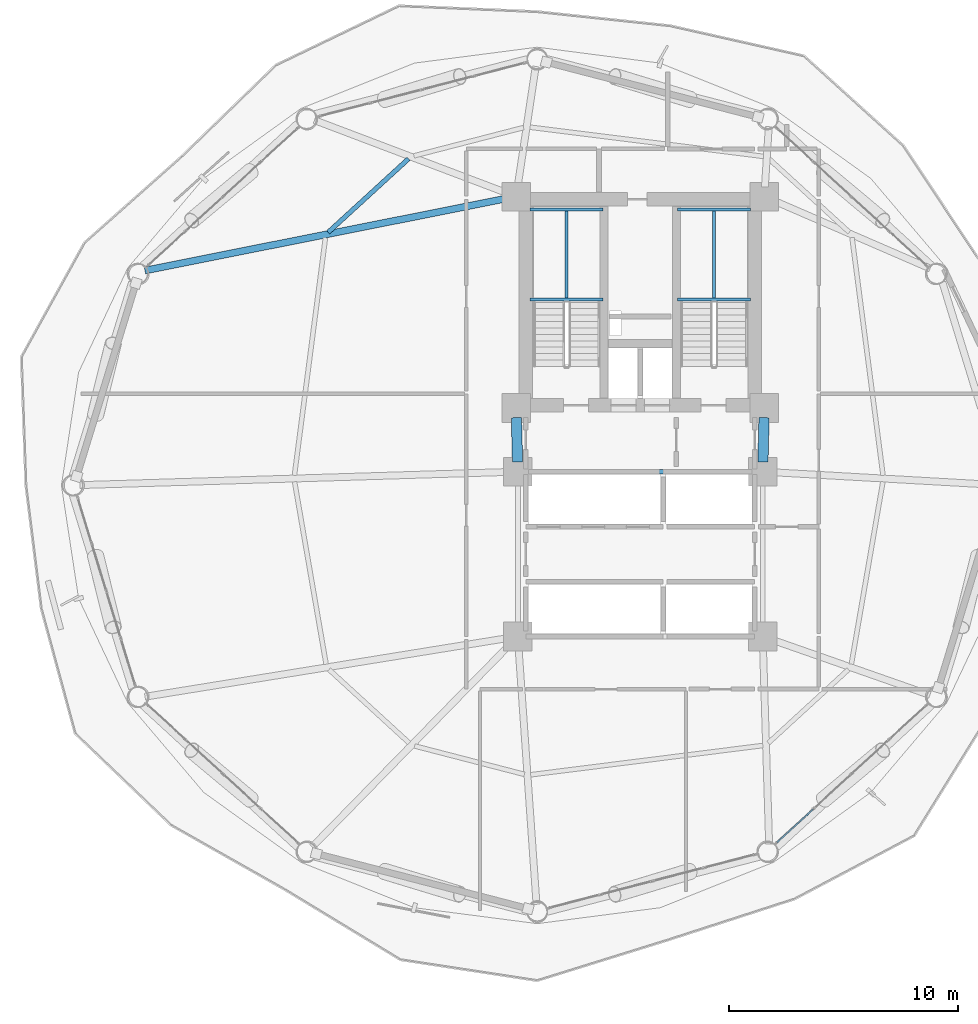
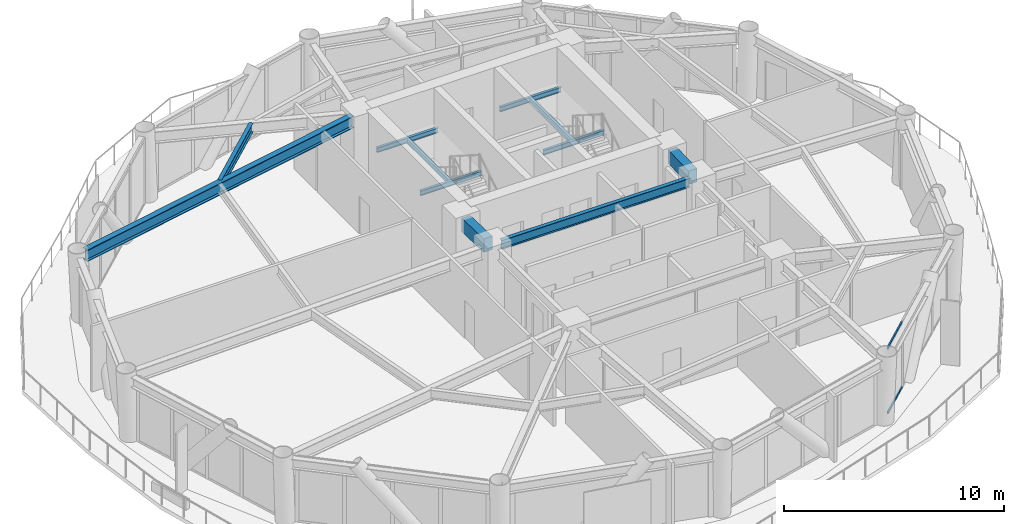
# One storey, part 12 of 23: 11 beams, 2 members, 1 element without a shape of its own.
"""IFC4 building model written with IfcOpenShell, lengths in metres."""

from ifc_helpers import new_model, si_unit, direction, frame, origin, origin_2d, place, context, subcontext, project, spatial, rectangle, hollow_rectangle, i_section, extrude, material, layer, layer_set, material_profile, profile_set, type_object, element, aggregate, save


model = new_model("IFC4")

# Units and contexts
model_context = context("Model", 3, precision=1e-05, world=origin(), true_north=direction((0.0, 1.0)))
body_context = subcontext(model_context, "Body", "Model", "MODEL_VIEW")
ifc_project = project(units=[si_unit("LENGTHUNIT", "METRE"), si_unit("AREAUNIT", "SQUARE_METRE"), si_unit("VOLUMEUNIT", "CUBIC_METRE"), si_unit("PLANEANGLEUNIT", "RADIAN"), si_unit("MASSUNIT", "GRAM", prefix="KILO")], contexts=[model_context])

# Site, building, storey
site_placement = place(None, origin())
site = spatial("IfcSite", under=ifc_project, at=site_placement, CompositionType="ELEMENT")
building_placement = place(site_placement, origin())
building = spatial("IfcBuilding", under=site, at=building_placement, Name="Varnakorn Sky Granary", CompositionType="ELEMENT")
storey_placement = place(building_placement, frame((0.0, 0.0, 31.5)))
storey = spatial("IfcBuildingStorey", under=building, at=storey_placement, Name="L07", CompositionType="ELEMENT", Elevation=31.5)

# Beams
ifc_material_1 = material(Name="Concrete C60/75", Category="concrete")
ifc_material_profile_1 = material_profile(ifc_material_1, rectangle(XDim=0.449951171875, YDim=0.75, at=origin_2d()), Name="RC 450x750")
ifc_profile_set_1 = profile_set([ifc_material_profile_1], Name="Concrete C60/75")
beam_type_1 = type_object("IfcBeamType", Name="BM-LIN-750", PredefinedType="LINTEL", material=ifc_profile_set_1)
for number, where, z_axis, x_axis, name in (
    (1, (-2.409423828125, 2.960205078125, 3.264892578125), (0.025158763514, -0.999683468213, 0.0), (0.999683468213, 0.025158763514, 0.0), "Core Spine Framing Beam 1 L07"),
    (2, (8.409423828125, 2.960205078125, 3.264892578125), (-0.025158763514, -0.999683468213, 0.0), (0.999683468213, -0.025158763514, 0.0), "Core Spine Framing Beam 2 L07"),
):
    element("IfcBeam", number, at=place(storey_placement, frame(where, z_axis=z_axis, x_axis=x_axis)), inside=storey, type_object=beam_type_1, Name=name, PredefinedType="LINTEL", context=body_context, shape_type="SweptSolid", body=[
        extrude(rectangle(XDim=0.449951171875, YDim=0.75, at=origin_2d()), origin(), (0.0, 0.0, 1.0), 1.94091796875),
    ])
ifc_material_2 = material(Name="Steel S355JR", Category="steel")
ifc_material_profile_2 = material_profile(ifc_material_2, i_section(OverallWidth=0.135009765625, OverallDepth=0.27001953125, WebThickness=0.006591796875, FlangeThickness=0.01025390625, at=origin_2d()), Name="IPE 270")
ifc_profile_set_2 = profile_set([ifc_material_profile_2], Name="Steel S355JR")
beam_type_2 = type_object("IfcBeamType", Name="BM-LND-270", PredefinedType="BEAM", material=ifc_profile_set_2)
for number, where, z_axis, x_axis, name in (
    (3, (-1.820068359375, 8.1201171875, 1.614990234375), (1.0, 0.0, 0.0), (0.0, 1.0, 0.0), "Stair ST-1 Landing Trimmer Beam A L07-1"),
    (4, (-1.820068359375, 12.06005859375, 1.614990234375), (1.0, 0.0, 0.0), (0.0, 1.0, 0.0), "Stair ST-1 Landing Trimmer Beam B L07-1"),
):
    element("IfcBeam", number, at=place(storey_placement, frame(where, z_axis=z_axis, x_axis=x_axis)), inside=storey, type_object=beam_type_2, Name=name, PredefinedType="BEAM", context=body_context, shape_type="SweptSolid", body=[
        extrude(i_section(OverallWidth=0.135009765625, OverallDepth=0.27001953125, WebThickness=0.006591796875, FlangeThickness=0.01025390625, at=origin_2d()), origin(), (0.0, 0.0, 1.0), 3.199951171875),
    ])
beam_1_placement = place(storey_placement, frame((-0.219970703125, 8.1201171875, 1.614990234375), z_axis=(0.0, 1.0, 0.0), x_axis=(-1.0, 0.0, 0.0)))
element("IfcBeam", 5, at=beam_1_placement, inside=storey, type_object=beam_type_2, Name="Stair ST-1 Landing Cross Beam C L07-1", PredefinedType="BEAM", context=body_context, shape_type="SweptSolid", body=[
    extrude(i_section(OverallWidth=0.135009765625, OverallDepth=0.27001953125, WebThickness=0.006591796875, FlangeThickness=0.01025390625, at=origin_2d()), origin(), (0.0, 0.0, 1.0), 3.93994140625),
])
for number, where, z_axis, x_axis, name in (
    (6, (4.6201171875, 8.1201171875, 1.614990234375), (1.0, 0.0, 0.0), (0.0, 1.0, 0.0), "Stair ST-2 Landing Trimmer Beam A L07-1"),
    (7, (4.6201171875, 12.06005859375, 1.614990234375), (1.0, 0.0, 0.0), (0.0, 1.0, 0.0), "Stair ST-2 Landing Trimmer Beam B L07-1"),
):
    element("IfcBeam", number, at=place(storey_placement, frame(where, z_axis=z_axis, x_axis=x_axis)), inside=storey, type_object=beam_type_2, Name=name, PredefinedType="BEAM", context=body_context, shape_type="SweptSolid", body=[
        extrude(i_section(OverallWidth=0.135009765625, OverallDepth=0.27001953125, WebThickness=0.006591796875, FlangeThickness=0.01025390625, at=origin_2d()), origin(), (0.0, 0.0, 1.0), 3.199951171875),
    ])
beam_2_placement = place(storey_placement, frame((6.219970703125, 8.1201171875, 1.614990234375), z_axis=(0.0, 1.0, 0.0), x_axis=(-1.0, 0.0, 0.0)))
element("IfcBeam", 8, at=beam_2_placement, inside=storey, type_object=beam_type_2, Name="Stair ST-2 Landing Cross Beam C L07-1", PredefinedType="BEAM", context=body_context, shape_type="SweptSolid", body=[
    extrude(i_section(OverallWidth=0.135009765625, OverallDepth=0.27001953125, WebThickness=0.006591796875, FlangeThickness=0.01025390625, at=origin_2d()), origin(), (0.0, 0.0, 1.0), 3.93994140625),
])
ifc_material_profile_3 = material_profile(ifc_material_2, i_section(OverallWidth=0.300048828125, OverallDepth=0.64990234375, WebThickness=0.01611328125, FlangeThickness=0.031005859375, at=origin_2d()), Name="HE 650 B")
ifc_profile_set_3 = profile_set([ifc_material_profile_3], Name="Steel S355JR")
beam_type_3 = type_object("IfcBeamType", Name="BM-RAD-Z1", PredefinedType="BEAM", material=ifc_profile_set_3)
beam_3_placement = place(storey_placement, frame((-2.831787109375, 12.537841796875, 3.31494140625), z_axis=(-0.980731292765, -0.195361540207, 0.0), x_axis=(0.195361540207, -0.980731292765, 0.0)))
element("IfcBeam", 9, at=beam_3_placement, inside=storey, type_object=beam_type_3, Name="Radial Floor Girder RG06 L07", PredefinedType="BEAM", context=body_context, shape_type="SweptSolid", body=[
    extrude(i_section(OverallWidth=0.300048828125, OverallDepth=0.64990234375, WebThickness=0.01611328125, FlangeThickness=0.031005859375, at=origin_2d()), origin(), (0.0, 0.0, 1.0), 16.115966796875),
])
ifc_material_profile_4 = material_profile(ifc_material_2, i_section(OverallWidth=0.199951171875, OverallDepth=0.5, WebThickness=0.01025390625, FlangeThickness=0.01611328125, at=origin_2d()), Name="IPE 500")
ifc_profile_set_4 = profile_set([ifc_material_profile_4], Name="Steel S355JR")
beam_type_4 = type_object("IfcBeamType", Name="BM-SEC-Z1", PredefinedType="BEAM", material=ifc_profile_set_4)
beam_4_placement = place(storey_placement, frame((-7.125244140625, 14.268310546875, 3.389892578125), z_axis=(-0.737544140059, -0.675298927487, 0.0), x_axis=(0.675298927487, -0.737544140059, 0.0)))
element("IfcBeam", 10, at=beam_4_placement, inside=storey, type_object=beam_type_4, Name="Secondary Floor Chord Beam MSB05 L07", PredefinedType="BEAM", context=body_context, shape_type="SweptSolid", body=[
    extrude(i_section(OverallWidth=0.199951171875, OverallDepth=0.5, WebThickness=0.01025390625, FlangeThickness=0.01611328125, at=origin_2d()), origin(), (0.0, 0.0, 1.0), 4.753662109375),
])
beam_5_placement = place(storey_placement, frame((-1.929931640625, 0.60009765625, 3.389892578125), z_axis=(1.0, 0.0, 0.0), x_axis=(0.0, 1.0, 0.0)))
element("IfcBeam", 11, at=beam_5_placement, inside=storey, type_object=beam_type_4, Name="Core Spine Framing Beam 5 L07", PredefinedType="BEAM", context=body_context, shape_type="SweptSolid", body=[
    extrude(i_section(OverallWidth=0.199951171875, OverallDepth=0.5, WebThickness=0.01025390625, FlangeThickness=0.01611328125, at=origin_2d()), origin(), (0.0, 0.0, 1.0), 9.85986328125),
])

# Curtain wall, members
ifc_material_3 = material(Name="Anodised Bronze Aluminium Alloy 6063-T6", Category="aluminium")
ifc_layer = layer(ifc_material_3, 0.18994140625, Name="Anodised Bronze Aluminium Alloy 6063-T6")
ifc_layer_set = layer_set([ifc_layer], Name="Anodised Bronze Aluminium Alloy 6063-T6")
curtain_wall_type = type_object("IfcCurtainWallType", Name="CW-FRM-1", PredefinedType="USERDEFINED", material=ifc_layer_set)
curtain_wall_placement = place(storey_placement, origin())
curtain_wall = element("IfcCurtainWall", 12, at=curtain_wall_placement, inside=storey, type_object=curtain_wall_type, Name="Unitised Curtain Wall CW3 CW-L07-B11", ObjectType="CURTAIN WALL", PredefinedType="USERDEFINED")
ifc_material_profile_5 = material_profile(ifc_material_3, hollow_rectangle(XDim=0.070068359375, YDim=0.139892578125, WallThickness=0.00341796875, at=origin_2d()), Name="ALU TRAN 70x140")
ifc_profile_set_5 = profile_set([ifc_material_profile_5], Name="Anodised Bronze Aluminium Alloy 6063-T6")
member_type = type_object("IfcMemberType", Name="CW-FRM-1-TRAN", PredefinedType="USERDEFINED", material=ifc_profile_set_5)
member_1_placement = place(storey_placement, frame((10.5556640625, -14.147216796875, 0.034912109375), z_axis=(-0.736555478372, -0.676377133913, 0.0), x_axis=(0.676377133913, -0.736555478372, 0.0)))
member_1 = element("IfcMember", 13, at=member_1_placement, type_object=member_type, Name="CW3 transom 4.1", ObjectType="TRANSOM", PredefinedType="USERDEFINED", context=body_context, shape_type="SweptSolid", body=[
    extrude(hollow_rectangle(XDim=0.070068359375, YDim=0.139892578125, WallThickness=0.00341796875, at=origin_2d()), origin(), (0.0, 0.0, 1.0), 2.134033203125),
])
member_2_placement = place(storey_placement, frame((10.5556640625, -14.147216796875, 3.60498046875), z_axis=(-0.736555478372, -0.676377133913, 0.0), x_axis=(0.676377133913, -0.736555478372, 0.0)))
member_2 = element("IfcMember", 14, at=member_2_placement, type_object=member_type, Name="CW3 transom 4.2", ObjectType="TRANSOM", PredefinedType="USERDEFINED", context=body_context, shape_type="SweptSolid", body=[
    extrude(hollow_rectangle(XDim=0.070068359375, YDim=0.139892578125, WallThickness=0.00341796875, at=origin_2d()), origin(), (0.0, 0.0, 1.0), 2.134033203125),
])
aggregate(curtain_wall, [member_1, member_2])

save(model, "model.ifc")
